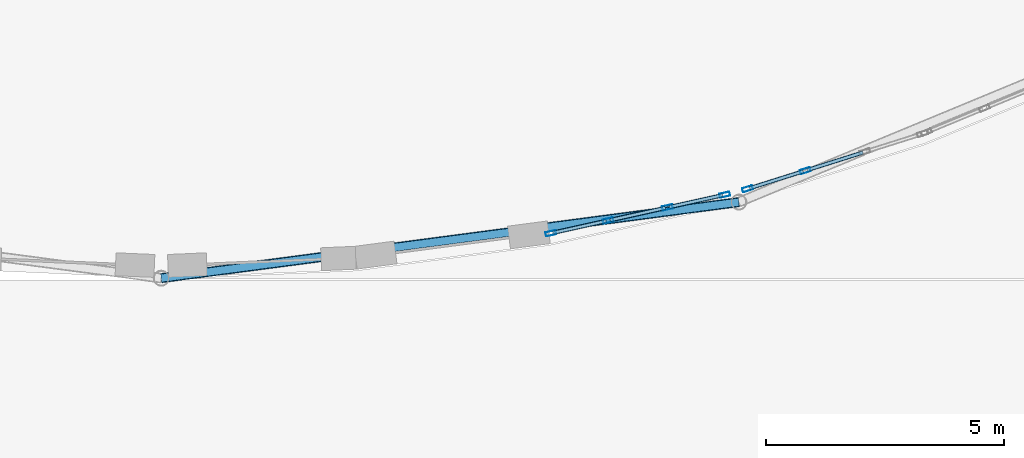
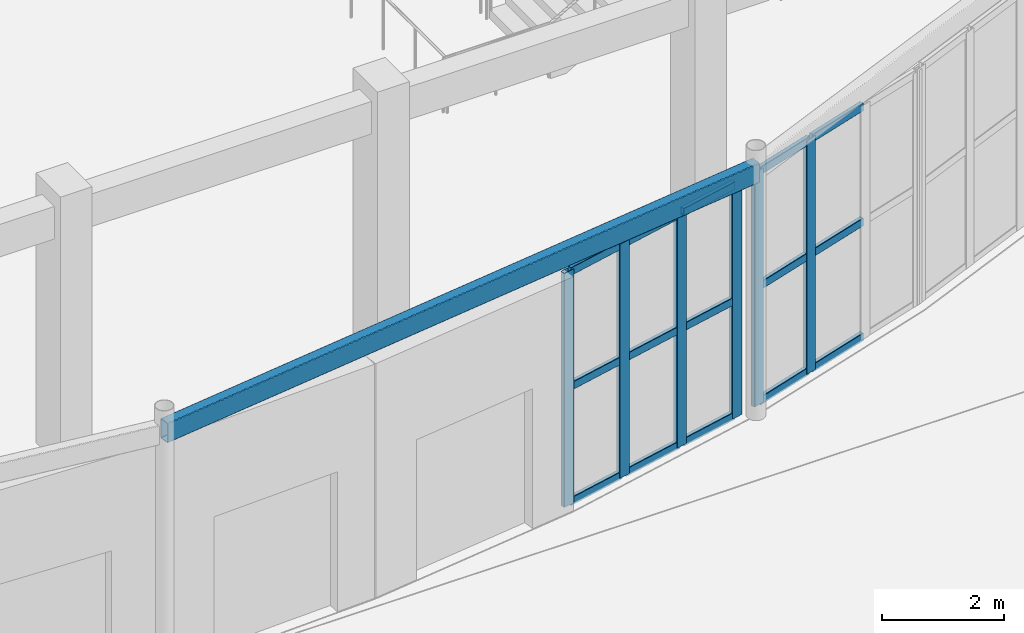
# One storey, part 12 of 98: 21 members, 1 beam, 2 elements without a shape of their own.
"""IFC4 building model written with IfcOpenShell, lengths in metres."""

import ifcopenshell
import ifcopenshell.guid

model = None  # the IFC model being written
_history = None  # IfcOwnerHistory: only IFC2X3 demands one
_inside = {}  # id of a spatial element -> (the spatial element, [elements in it])
_under = {}  # id of a project, library or spatial element -> (it, [spatial elements below it])
_declared = {}  # id of a project -> (the project, [libraries it declares])
_typed = {}  # id of a type object -> (the type object, [elements of that type])
_made_of = {}  # id of a material, layer set ... -> (it, [elements and type objects made of it])


def new_model(schema):
    """Start an empty IFC model of exactly this schema.

    Asked for "IFC4X3", IfcOpenShell would pick the latest addendum, in which some entities
    have other attributes; the version numbers below select the first issue.
    IFC2X3 requires an IfcOwnerHistory on every rooted entity: one is made here for all.
    """
    global model, _history
    if schema == "IFC4X3":
        model = ifcopenshell.file(schema_version=(4, 3, 0, 0))
    else:
        model = ifcopenshell.file(schema=schema)
    _inside.clear()
    _under.clear()
    _declared.clear()
    _typed.clear()
    _made_of.clear()
    _history = None
    if model.schema == "IFC2X3":
        org = make("IfcOrganization", Name="unknown")
        user = make(
            "IfcPersonAndOrganization",
            ThePerson=make("IfcPerson", FamilyName="unknown"),
            TheOrganization=org,
        )
        app = make(
            "IfcApplication",
            ApplicationDeveloper=org,
            Version="unknown",
            ApplicationFullName="unknown",
            ApplicationIdentifier="unknown",
        )
        _history = make(
            "IfcOwnerHistory",
            OwningUser=user,
            OwningApplication=app,
            ChangeAction="ADDED",
            CreationDate=0,
        )
    return model


def make(cls, **values):
    """One entity of the class cls with the attributes given. An attribute that is None is left unset."""
    return model.create_entity(
        cls, **{name: value for name, value in values.items() if value is not None}
    )


def rooted(cls, **values):
    """An entity with a GlobalId (a new one), such as an element, a storey or a relation."""
    return make(cls, GlobalId=ifcopenshell.guid.new(), OwnerHistory=_history, **values)


def si_unit(unit_type, name, prefix=None):
    """IfcSIUnit, for example si_unit("LENGTHUNIT", "METRE", prefix="MILLI")."""
    return make("IfcSIUnit", UnitType=unit_type, Prefix=prefix, Name=name)


def assignment(units):
    """IfcUnitAssignment: the units of a project."""
    return None if units is None else make("IfcUnitAssignment", Units=units)


def point(xyz):
    """IfcCartesianPoint."""
    return None if xyz is None else make("IfcCartesianPoint", Coordinates=xyz)


def direction(xyz):
    """IfcDirection."""
    return None if xyz is None else make("IfcDirection", DirectionRatios=xyz)


def frame(location, z_axis=None, x_axis=None):
    """IfcAxis2Placement3D, a coordinate frame: its origin and axes. An axis left out is left unset."""
    return make(
        "IfcAxis2Placement3D",
        Location=point(location),
        Axis=direction(z_axis),
        RefDirection=direction(x_axis),
    )


def frame_2d(location, x_axis=None):
    """IfcAxis2Placement2D, a coordinate frame in the plane: its origin and x axis."""
    return make(
        "IfcAxis2Placement2D", Location=point(location), RefDirection=direction(x_axis)
    )


def origin():
    """The frame at (0, 0, 0) with its axes left unset."""
    return frame((0.0, 0.0, 0.0))


def origin_2d():
    """The frame at (0, 0) in the plane with its x axis left unset."""
    return frame_2d((0.0, 0.0))


def place(relative_to, where):
    """IfcLocalPlacement: puts the frame where relative to a parent placement (None: the world)."""
    return make(
        "IfcLocalPlacement", PlacementRelTo=relative_to, RelativePlacement=where
    )


def context(
    kind, dimensions, precision=None, world=None, true_north=None, identifier=None
):
    """IfcGeometricRepresentationContext, for example the 3D "Model" context."""
    return make(
        "IfcGeometricRepresentationContext",
        ContextIdentifier=identifier,
        ContextType=kind,
        CoordinateSpaceDimension=dimensions,
        Precision=precision,
        WorldCoordinateSystem=world,
        TrueNorth=true_north,
    )


def subcontext(parent, identifier, kind, view, scale=None):
    """IfcGeometricRepresentationSubContext, for example "Body" below "Model"."""
    return make(
        "IfcGeometricRepresentationSubContext",
        ContextIdentifier=identifier,
        ContextType=kind,
        ParentContext=parent,
        TargetScale=scale,
        TargetView=view,
    )


def project(units=None, contexts=None):
    """IfcProject with its units and contexts."""
    return rooted(
        "IfcProject",
        Name="project",
        RepresentationContexts=contexts,
        UnitsInContext=assignment(units),
    )


def spatial(cls, under=None, at=None, **own):
    """A site, building, storey or space (cls), placed at a placement, below another one or the project."""
    s = rooted(cls, ObjectPlacement=at, **own)
    if under is not None:
        _under.setdefault(under.id(), (under, []))[1].append(s)
    return s


def profile(cls, at=None, kind="AREA", **sizes):
    """A parametric profile (cls). Its sizes go by their IFC names, for example OverallWidth=200.0."""
    return make(cls, ProfileType=kind, Position=at, **sizes)


def hollow_rectangle(**sizes):
    """IfcRectangleHollowProfileDef."""
    return profile("IfcRectangleHollowProfileDef", **sizes)


def extrude(swept, where, along, depth):
    """IfcExtrudedAreaSolid: the profile swept, set in the frame where, extruded along a direction by depth."""
    return make(
        "IfcExtrudedAreaSolid",
        SweptArea=swept,
        Position=where,
        ExtrudedDirection=direction(along),
        Depth=depth,
    )


def shape(context_of_items, identifier, shape_type, items):
    """IfcShapeRepresentation: the items that make up one representation, for example the "Body"."""
    return make(
        "IfcShapeRepresentation",
        ContextOfItems=context_of_items,
        RepresentationIdentifier=identifier,
        RepresentationType=shape_type,
        Items=items,
    )


def material(Name=None, Category=None):
    """IfcMaterial."""
    return make("IfcMaterial", Name=Name, Category=Category)


def layer(
    of_material, thickness, ventilated=None, Name=None, Category=None, Priority=None
):
    """IfcMaterialLayer: one layer of a wall or slab, of a material (None: an air gap)."""
    return make(
        "IfcMaterialLayer",
        Material=of_material,
        LayerThickness=thickness,
        IsVentilated=ventilated,
        Name=Name,
        Category=Category,
        Priority=Priority,
    )


def layer_set(layers, Name=None):
    """IfcMaterialLayerSet."""
    return make("IfcMaterialLayerSet", MaterialLayers=layers, LayerSetName=Name)


def material_profile(
    of_material, cross_section, Name=None, Category=None, Priority=None
):
    """IfcMaterialProfile: a cross section and its material."""
    return make(
        "IfcMaterialProfile",
        Name=Name,
        Material=of_material,
        Profile=cross_section,
        Priority=Priority,
        Category=Category,
    )


def profile_set(profiles, Name=None, composite=None):
    """IfcMaterialProfileSet."""
    return make(
        "IfcMaterialProfileSet",
        Name=Name,
        MaterialProfiles=profiles,
        CompositeProfile=composite,
    )


def made_of(thing, what):
    """Note that an element or type object is made of a material, layer set ...; save() writes the relation."""
    if what is not None:
        _made_of.setdefault(what.id(), (what, []))[1].append(thing)
    return thing


def type_object(cls, material=None, **own):
    """A type object (cls), such as IfcWallType, which elements share."""
    return made_of(rooted(cls, **own), material)


def element(
    cls,
    number,
    at=None,
    inside=None,
    cuts=None,
    type_object=None,
    material=None,
    context=None,
    identifier="Body",
    shape_type=None,
    held_by="IfcProductDefinitionShape",
    body=None,
    shapes=None,
    **own,
):
    """One element of the class cls, such as IfcWall. Its Tag is "e" and its number.

    at: its placement. inside: the storey or other place that contains it. cuts: it is an
    opening in that element (IfcRelVoidsElement). A single representation is given by context,
    identifier, shape_type and body (its items); several are given by shapes. held_by: the class
    of the entity that holds the representations. save() writes the other relations.
    """
    e = rooted(cls, Tag="e%d" % number, ObjectPlacement=at, **own)
    if body is not None:
        shapes = [shape(context, identifier, shape_type, body)]
    if shapes is not None:
        e.Representation = make(held_by, Representations=shapes)
    if inside is not None:
        _inside.setdefault(inside.id(), (inside, []))[1].append(e)
    if cuts is not None:
        rooted(
            "IfcRelVoidsElement", RelatingBuildingElement=cuts, RelatedOpeningElement=e
        )
    if type_object is not None:
        _typed.setdefault(type_object.id(), (type_object, []))[1].append(e)
    return made_of(e, material)


def aggregate(whole, parts):
    """IfcRelAggregates: a whole, such as a stair, and the parts it consists of."""
    return rooted("IfcRelAggregates", RelatingObject=whole, RelatedObjects=parts)


def save(model, path):
    """Write the relations noted so far, then the file.

    IfcRelAggregates (storeys below a building ...), IfcRelContainedInSpatialStructure (elements
    in a storey), IfcRelDefinesByType, IfcRelAssociatesMaterial and IfcRelDeclares: one each for
    every whole, place, type object, material and project.
    """
    for whole, parts in _under.values():
        aggregate(whole, parts)
    for where, things in _inside.values():
        rooted(
            "IfcRelContainedInSpatialStructure",
            RelatedElements=things,
            RelatingStructure=where,
        )
    for kind, things in _typed.values():
        rooted("IfcRelDefinesByType", RelatedObjects=things, RelatingType=kind)
    for what, things in _made_of.values():
        rooted("IfcRelAssociatesMaterial", RelatedObjects=things, RelatingMaterial=what)
    for by, libraries in _declared.values():
        rooted("IfcRelDeclares", RelatingContext=by, RelatedDefinitions=libraries)
    model.write(path)


model = new_model("IFC4")

# Units and contexts
model_context = context("Model", 3, precision=1e-05, world=origin(), true_north=direction((0.0, 1.0)))
body_context = subcontext(model_context, "Body", "Model", "MODEL_VIEW")
ifc_project = project(units=[si_unit("LENGTHUNIT", "METRE"), si_unit("AREAUNIT", "SQUARE_METRE"), si_unit("VOLUMEUNIT", "CUBIC_METRE"), si_unit("PLANEANGLEUNIT", "RADIAN"), si_unit("MASSUNIT", "GRAM", prefix="KILO")], contexts=[model_context])

# Site, building, storey
site_placement = place(None, origin())
site = spatial("IfcSite", under=ifc_project, at=site_placement, CompositionType="ELEMENT")
building_placement = place(site_placement, origin())
building = spatial("IfcBuilding", under=site, at=building_placement, Name="Tarnavel Promenade Courthouse", CompositionType="ELEMENT")
storey_placement = place(building_placement, origin())
storey = spatial("IfcBuildingStorey", under=building, at=storey_placement, Name="L01", CompositionType="ELEMENT", Elevation=0.0)

# Beam
ifc_material_1 = material(Name="Steel S355J2", Category="steel")
ifc_material_profile_1 = material_profile(ifc_material_1, hollow_rectangle(XDim=0.199951171875, YDim=0.39990234375, WallThickness=0.01416015625, InnerFilletRadius=0.013916015625, OuterFilletRadius=0.028076171875, at=origin_2d()), Name="RHS 400x200x14.2")
ifc_profile_set_1 = profile_set([ifc_material_profile_1], Name="Steel S355J2")
beam_type = type_object("IfcBeamType", Name="Steel S355J2 BM-ST-RHS400 (RHS 400x200x14.2)", PredefinedType="SPANDREL", material=ifc_profile_set_1)
beam_placement = place(storey_placement, frame((31.800048828125, 8.39990234375, 4.89501953125), z_axis=(0.991444021821, 0.130532569096, 0.0), x_axis=(-0.130532569096, 0.991444021821, 0.0)))
element("IfcBeam", 1, at=beam_placement, inside=storey, type_object=beam_type, Name="L01 Public Drum Ring Beam 1068", PredefinedType="SPANDREL", context=body_context, shape_type="SweptSolid", body=[
    extrude(hollow_rectangle(XDim=0.199951171875, YDim=0.39990234375, WallThickness=0.01416015625, InnerFilletRadius=0.013916015625, OuterFilletRadius=0.028076171875, at=origin_2d()), origin(), (0.0, 0.0, 1.0), 12.217041015625),
])

# Curtain wall, members
ifc_material_2 = material(Name="Thermally Broken Anodised Aluminium Curtain Wall System", Category="aluminium")
ifc_layer = layer(ifc_material_2, 0.219970703125)
ifc_layer_set = layer_set([ifc_layer], Name="Thermally Broken Anodised Aluminium Curtain Wall System")
curtain_wall_type = type_object("IfcCurtainWallType", Name="Thermally Broken Aluminium Triple-Glazed Curtain Wall CW-DRUM", PredefinedType="NOTDEFINED", material=ifc_layer_set)
curtain_wall_1_placement = place(storey_placement, origin())
curtain_wall_1 = element("IfcCurtainWall", 2, at=curtain_wall_1_placement, inside=storey, type_object=curtain_wall_type, Name="L01 Public Hall Drum Curtain Wall 005", PredefinedType="NOTDEFINED")
ifc_material_3 = material(Name="Thermally Broken Anodised Aluminium Frame", Category="aluminium")
ifc_material_profile_2 = material_profile(ifc_material_3, hollow_rectangle(XDim=0.090087890625, YDim=0.219970703125, WallThickness=0.0048828125, InnerFilletRadius=0.0048828125, OuterFilletRadius=0.010009765625, at=origin_2d()), Name="CWM 220x90x5")
ifc_profile_set_2 = profile_set([ifc_material_profile_2], Name="Thermally Broken Anodised Aluminium Frame")
member_type_1 = type_object("IfcMemberType", Name="Thermally Broken Anodised Aluminium CWM-175 (CWM 220x90x5)", PredefinedType="MULLION", material=ifc_profile_set_2)
member_1_placement = place(storey_placement, frame((39.970703125, 9.3408203125, 0.0), z_axis=(0.0, 0.0, 1.0), x_axis=(-0.216440508192, 0.976295808868, 0.0)))
member_1 = element("IfcMember", 3, at=member_1_placement, type_object=member_type_1, Name="CW-01 mullion 1", PredefinedType="MULLION", context=body_context, shape_type="SweptSolid", body=[
    extrude(hollow_rectangle(XDim=0.090087890625, YDim=0.219970703125, WallThickness=0.0048828125, InnerFilletRadius=0.0048828125, OuterFilletRadius=0.010009765625, at=origin_2d()), origin(), (0.0, 0.0, 1.0), 4.679931640625),
])
member_2_placement = place(storey_placement, frame((41.1708984375, 9.60693359375, 0.0), z_axis=(0.0, 0.0, 1.0), x_axis=(-0.216440508192, 0.976295808868, 0.0)))
member_2 = element("IfcMember", 4, at=member_2_placement, type_object=member_type_1, Name="CW-01 mullion 2", PredefinedType="MULLION", context=body_context, shape_type="SweptSolid", body=[
    extrude(hollow_rectangle(XDim=0.090087890625, YDim=0.219970703125, WallThickness=0.0048828125, InnerFilletRadius=0.0048828125, OuterFilletRadius=0.010009765625, at=origin_2d()), origin(), (0.0, 0.0, 1.0), 4.679931640625),
])
member_3_placement = place(storey_placement, frame((42.4150390625, 9.882568359375, 0.0), z_axis=(0.0, 0.0, 1.0), x_axis=(-0.216440508192, 0.976295808868, 0.0)))
member_3 = element("IfcMember", 5, at=member_3_placement, type_object=member_type_1, Name="CW-01 mullion 3", PredefinedType="MULLION", context=body_context, shape_type="SweptSolid", body=[
    extrude(hollow_rectangle(XDim=0.090087890625, YDim=0.219970703125, WallThickness=0.0048828125, InnerFilletRadius=0.0048828125, OuterFilletRadius=0.010009765625, at=origin_2d()), origin(), (0.0, 0.0, 1.0), 4.679931640625),
])
member_4_placement = place(storey_placement, frame((43.615478515625, 10.148681640625, 0.0), z_axis=(0.0, 0.0, 1.0), x_axis=(-0.216440508192, 0.976295808868, 0.0)))
member_4 = element("IfcMember", 6, at=member_4_placement, type_object=member_type_1, Name="CW-01 mullion 4", PredefinedType="MULLION", context=body_context, shape_type="SweptSolid", body=[
    extrude(hollow_rectangle(XDim=0.090087890625, YDim=0.219970703125, WallThickness=0.0048828125, InnerFilletRadius=0.0048828125, OuterFilletRadius=0.010009765625, at=origin_2d()), origin(), (0.0, 0.0, 1.0), 4.679931640625),
])

curtain_wall_2_placement = place(storey_placement, origin())
curtain_wall_2 = element("IfcCurtainWall", 7, at=curtain_wall_2_placement, inside=storey, type_object=curtain_wall_type, Name="L01 Public Hall Drum Curtain Wall 006", PredefinedType="NOTDEFINED")
member_5_placement = place(storey_placement, frame((44.0947265625, 10.27197265625, 0.0), z_axis=(0.0, 0.0, 1.0), x_axis=(-0.300704046766, 0.953717503383, 0.0)))
member_5 = element("IfcMember", 8, at=member_5_placement, type_object=member_type_1, Name="CW-01 mullion 1", PredefinedType="MULLION", context=body_context, shape_type="SweptSolid", body=[
    extrude(hollow_rectangle(XDim=0.090087890625, YDim=0.219970703125, WallThickness=0.0048828125, InnerFilletRadius=0.0048828125, OuterFilletRadius=0.010009765625, at=origin_2d()), origin(), (0.0, 0.0, 1.0), 4.679931640625),
])
member_6_placement = place(storey_placement, frame((45.303466796875, 10.653076171875, 0.0), z_axis=(0.0, 0.0, 1.0), x_axis=(-0.300704046766, 0.953717503383, 0.0)))
member_6 = element("IfcMember", 9, at=member_6_placement, type_object=member_type_1, Name="CW-01 mullion 2", PredefinedType="MULLION", context=body_context, shape_type="SweptSolid", body=[
    extrude(hollow_rectangle(XDim=0.090087890625, YDim=0.219970703125, WallThickness=0.0048828125, InnerFilletRadius=0.0048828125, OuterFilletRadius=0.010009765625, at=origin_2d()), origin(), (0.0, 0.0, 1.0), 4.679931640625),
])

# Member
ifc_material_profile_3 = material_profile(ifc_material_3, hollow_rectangle(XDim=0.080078125, YDim=0.159912109375, WallThickness=0.0048828125, InnerFilletRadius=0.0048828125, OuterFilletRadius=0.010009765625, at=origin_2d()), Name="CWT 160x80x5")
ifc_profile_set_3 = profile_set([ifc_material_profile_3], Name="Thermally Broken Anodised Aluminium Frame")
member_type_2 = type_object("IfcMemberType", Name="Thermally Broken Anodised Aluminium CWT-145 (CWT 160x80x5)", PredefinedType="USERDEFINED", material=ifc_profile_set_3)
member_7_placement = place(storey_placement, frame((40.0146484375, 9.3505859375, 0.0400390625), z_axis=(0.976297858311, 0.216431263585, 0.0), x_axis=(-0.216431263585, 0.976297858311, 0.0)))
member_7 = element("IfcMember", 10, at=member_7_placement, type_object=member_type_2, Name="CW-01 transom 1.1", ObjectType="TRANSOM", PredefinedType="USERDEFINED", context=body_context, shape_type="SweptSolid", body=[
    extrude(hollow_rectangle(XDim=0.080078125, YDim=0.159912109375, WallThickness=0.0048828125, InnerFilletRadius=0.0048828125, OuterFilletRadius=0.010009765625, at=origin_2d()), origin(), (0.0, 0.0, 1.0), 1.139404296875),
])

member_8_placement = place(storey_placement, frame((40.0146484375, 9.3505859375, 2.340087890625), z_axis=(0.976297858311, 0.216431263585, 0.0), x_axis=(-0.216431263585, 0.976297858311, 0.0)))
member_8 = element("IfcMember", 11, at=member_8_placement, type_object=member_type_2, Name="CW-01 transom 1.2", ObjectType="TRANSOM", PredefinedType="USERDEFINED", context=body_context, shape_type="SweptSolid", body=[
    extrude(hollow_rectangle(XDim=0.080078125, YDim=0.159912109375, WallThickness=0.0048828125, InnerFilletRadius=0.0048828125, OuterFilletRadius=0.010009765625, at=origin_2d()), origin(), (0.0, 0.0, 1.0), 1.139404296875),
])

member_9_placement = place(storey_placement, frame((40.0146484375, 9.3505859375, 4.639892578125), z_axis=(0.976297858311, 0.216431263585, 0.0), x_axis=(-0.216431263585, 0.976297858311, 0.0)))
member_9 = element("IfcMember", 12, at=member_9_placement, type_object=member_type_2, Name="CW-01 transom 1.3", ObjectType="TRANSOM", PredefinedType="USERDEFINED", context=body_context, shape_type="SweptSolid", body=[
    extrude(hollow_rectangle(XDim=0.080078125, YDim=0.159912109375, WallThickness=0.0048828125, InnerFilletRadius=0.0048828125, OuterFilletRadius=0.010009765625, at=origin_2d()), origin(), (0.0, 0.0, 1.0), 1.139404296875),
])

member_10_placement = place(storey_placement, frame((41.21484375, 9.616455078125, 0.0400390625), z_axis=(0.976293651441, 0.216450239445, 0.0), x_axis=(-0.216450239445, 0.976293651441, 0.0)))
member_10 = element("IfcMember", 13, at=member_10_placement, type_object=member_type_2, Name="CW-01 transom 2.1", ObjectType="TRANSOM", PredefinedType="USERDEFINED", context=body_context, shape_type="SweptSolid", body=[
    extrude(hollow_rectangle(XDim=0.080078125, YDim=0.159912109375, WallThickness=0.0048828125, InnerFilletRadius=0.0048828125, OuterFilletRadius=0.010009765625, at=origin_2d()), origin(), (0.0, 0.0, 1.0), 1.184326171875),
])

member_11_placement = place(storey_placement, frame((41.21484375, 9.616455078125, 2.340087890625), z_axis=(0.976293651441, 0.216450239445, 0.0), x_axis=(-0.216450239445, 0.976293651441, 0.0)))
member_11 = element("IfcMember", 14, at=member_11_placement, type_object=member_type_2, Name="CW-01 transom 2.2", ObjectType="TRANSOM", PredefinedType="USERDEFINED", context=body_context, shape_type="SweptSolid", body=[
    extrude(hollow_rectangle(XDim=0.080078125, YDim=0.159912109375, WallThickness=0.0048828125, InnerFilletRadius=0.0048828125, OuterFilletRadius=0.010009765625, at=origin_2d()), origin(), (0.0, 0.0, 1.0), 1.184326171875),
])

member_12_placement = place(storey_placement, frame((41.21484375, 9.616455078125, 4.639892578125), z_axis=(0.976293651441, 0.216450239445, 0.0), x_axis=(-0.216450239445, 0.976293651441, 0.0)))
member_12 = element("IfcMember", 15, at=member_12_placement, type_object=member_type_2, Name="CW-01 transom 2.3", ObjectType="TRANSOM", PredefinedType="USERDEFINED", context=body_context, shape_type="SweptSolid", body=[
    extrude(hollow_rectangle(XDim=0.080078125, YDim=0.159912109375, WallThickness=0.0048828125, InnerFilletRadius=0.0048828125, OuterFilletRadius=0.010009765625, at=origin_2d()), origin(), (0.0, 0.0, 1.0), 1.184326171875),
])

member_13_placement = place(storey_placement, frame((42.458984375, 9.892333984375, 0.0400390625), z_axis=(0.976307892964, 0.216385993393, 0.0), x_axis=(-0.216385993393, 0.976307892964, 0.0)))
member_13 = element("IfcMember", 16, at=member_13_placement, type_object=member_type_2, Name="CW-01 transom 3.1", ObjectType="TRANSOM", PredefinedType="USERDEFINED", context=body_context, shape_type="SweptSolid", body=[
    extrude(hollow_rectangle(XDim=0.080078125, YDim=0.159912109375, WallThickness=0.0048828125, InnerFilletRadius=0.0048828125, OuterFilletRadius=0.010009765625, at=origin_2d()), origin(), (0.0, 0.0, 1.0), 1.1396484375),
])

member_14_placement = place(storey_placement, frame((42.458984375, 9.892333984375, 2.340087890625), z_axis=(0.976307892964, 0.216385993393, 0.0), x_axis=(-0.216385993393, 0.976307892964, 0.0)))
member_14 = element("IfcMember", 17, at=member_14_placement, type_object=member_type_2, Name="CW-01 transom 3.2", ObjectType="TRANSOM", PredefinedType="USERDEFINED", context=body_context, shape_type="SweptSolid", body=[
    extrude(hollow_rectangle(XDim=0.080078125, YDim=0.159912109375, WallThickness=0.0048828125, InnerFilletRadius=0.0048828125, OuterFilletRadius=0.010009765625, at=origin_2d()), origin(), (0.0, 0.0, 1.0), 1.1396484375),
])

member_15_placement = place(storey_placement, frame((42.458984375, 9.892333984375, 4.639892578125), z_axis=(0.976307892964, 0.216385993393, 0.0), x_axis=(-0.216385993393, 0.976307892964, 0.0)))
member_15 = element("IfcMember", 18, at=member_15_placement, type_object=member_type_2, Name="CW-01 transom 3.3", ObjectType="TRANSOM", PredefinedType="USERDEFINED", context=body_context, shape_type="SweptSolid", body=[
    extrude(hollow_rectangle(XDim=0.080078125, YDim=0.159912109375, WallThickness=0.0048828125, InnerFilletRadius=0.0048828125, OuterFilletRadius=0.010009765625, at=origin_2d()), origin(), (0.0, 0.0, 1.0), 1.1396484375),
])

aggregate(curtain_wall_1, [member_1, member_2, member_3, member_4, member_7, member_8, member_9, member_10, member_11, member_12, member_13, member_14, member_15])

member_16_placement = place(storey_placement, frame((44.1376953125, 10.28564453125, 0.0400390625), z_axis=(0.953720467318, 0.300694646143, 0.0), x_axis=(-0.300694646143, 0.953720467318, 0.0)))
member_16 = element("IfcMember", 19, at=member_16_placement, type_object=member_type_2, Name="CW-01 transom 1.1", ObjectType="TRANSOM", PredefinedType="USERDEFINED", context=body_context, shape_type="SweptSolid", body=[
    extrude(hollow_rectangle(XDim=0.080078125, YDim=0.159912109375, WallThickness=0.0048828125, InnerFilletRadius=0.0048828125, OuterFilletRadius=0.010009765625, at=origin_2d()), origin(), (0.0, 0.0, 1.0), 1.17724609375),
])

member_17_placement = place(storey_placement, frame((44.1376953125, 10.28564453125, 2.340087890625), z_axis=(0.953720467318, 0.300694646143, 0.0), x_axis=(-0.300694646143, 0.953720467318, 0.0)))
member_17 = element("IfcMember", 20, at=member_17_placement, type_object=member_type_2, Name="CW-01 transom 1.2", ObjectType="TRANSOM", PredefinedType="USERDEFINED", context=body_context, shape_type="SweptSolid", body=[
    extrude(hollow_rectangle(XDim=0.080078125, YDim=0.159912109375, WallThickness=0.0048828125, InnerFilletRadius=0.0048828125, OuterFilletRadius=0.010009765625, at=origin_2d()), origin(), (0.0, 0.0, 1.0), 1.17724609375),
])

member_18_placement = place(storey_placement, frame((44.1376953125, 10.28564453125, 4.639892578125), z_axis=(0.953720467318, 0.300694646143, 0.0), x_axis=(-0.300694646143, 0.953720467318, 0.0)))
member_18 = element("IfcMember", 21, at=member_18_placement, type_object=member_type_2, Name="CW-01 transom 1.3", ObjectType="TRANSOM", PredefinedType="USERDEFINED", context=body_context, shape_type="SweptSolid", body=[
    extrude(hollow_rectangle(XDim=0.080078125, YDim=0.159912109375, WallThickness=0.0048828125, InnerFilletRadius=0.0048828125, OuterFilletRadius=0.010009765625, at=origin_2d()), origin(), (0.0, 0.0, 1.0), 1.17724609375),
])

member_19_placement = place(storey_placement, frame((45.34619140625, 10.666748046875, 0.0400390625), z_axis=(0.953748549194, 0.300605563673, 0.0), x_axis=(-0.300605563673, 0.953748549194, 0.0)))
member_19 = element("IfcMember", 22, at=member_19_placement, type_object=member_type_2, Name="CW-01 transom 2.1", ObjectType="TRANSOM", PredefinedType="USERDEFINED", context=body_context, shape_type="SweptSolid", body=[
    extrude(hollow_rectangle(XDim=0.080078125, YDim=0.159912109375, WallThickness=0.0048828125, InnerFilletRadius=0.0048828125, OuterFilletRadius=0.010009765625, at=origin_2d()), origin(), (0.0, 0.0, 1.0), 1.222412109375),
])

member_20_placement = place(storey_placement, frame((45.34619140625, 10.666748046875, 2.340087890625), z_axis=(0.953748549194, 0.300605563673, 0.0), x_axis=(-0.300605563673, 0.953748549194, 0.0)))
member_20 = element("IfcMember", 23, at=member_20_placement, type_object=member_type_2, Name="CW-01 transom 2.2", ObjectType="TRANSOM", PredefinedType="USERDEFINED", context=body_context, shape_type="SweptSolid", body=[
    extrude(hollow_rectangle(XDim=0.080078125, YDim=0.159912109375, WallThickness=0.0048828125, InnerFilletRadius=0.0048828125, OuterFilletRadius=0.010009765625, at=origin_2d()), origin(), (0.0, 0.0, 1.0), 1.222412109375),
])

member_21_placement = place(storey_placement, frame((45.34619140625, 10.666748046875, 4.639892578125), z_axis=(0.953748549194, 0.300605563673, 0.0), x_axis=(-0.300605563673, 0.953748549194, 0.0)))
member_21 = element("IfcMember", 24, at=member_21_placement, type_object=member_type_2, Name="CW-01 transom 2.3", ObjectType="TRANSOM", PredefinedType="USERDEFINED", context=body_context, shape_type="SweptSolid", body=[
    extrude(hollow_rectangle(XDim=0.080078125, YDim=0.159912109375, WallThickness=0.0048828125, InnerFilletRadius=0.0048828125, OuterFilletRadius=0.010009765625, at=origin_2d()), origin(), (0.0, 0.0, 1.0), 1.222412109375),
])

aggregate(curtain_wall_2, [member_5, member_6, member_16, member_17, member_18, member_19, member_20, member_21])

save(model, "model.ifc")
